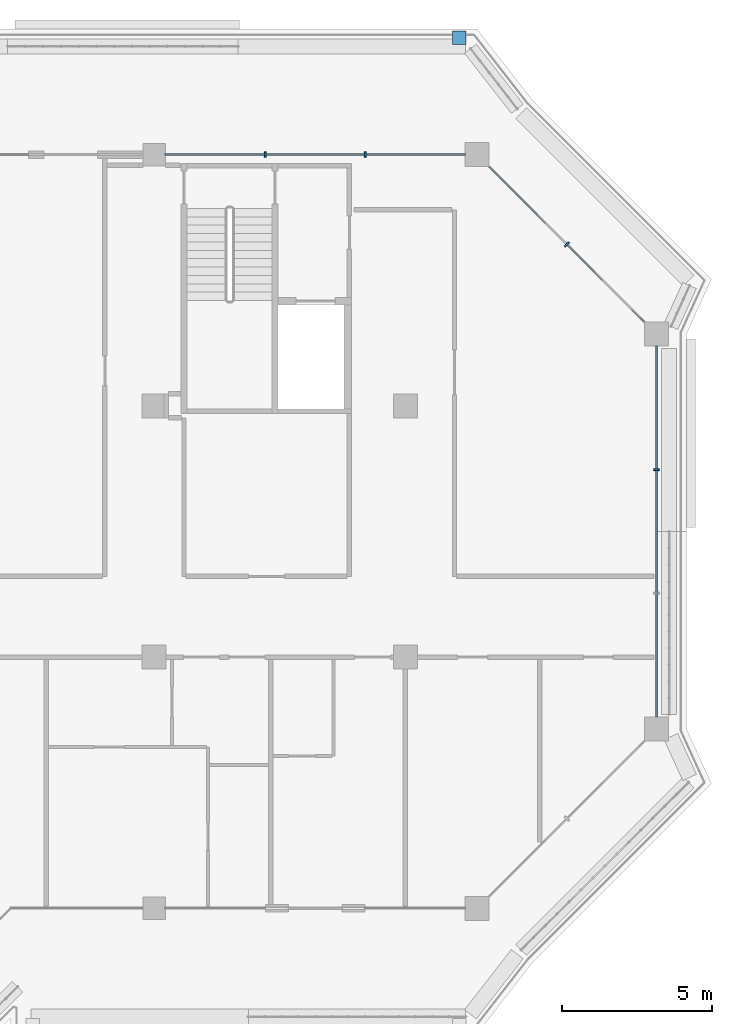
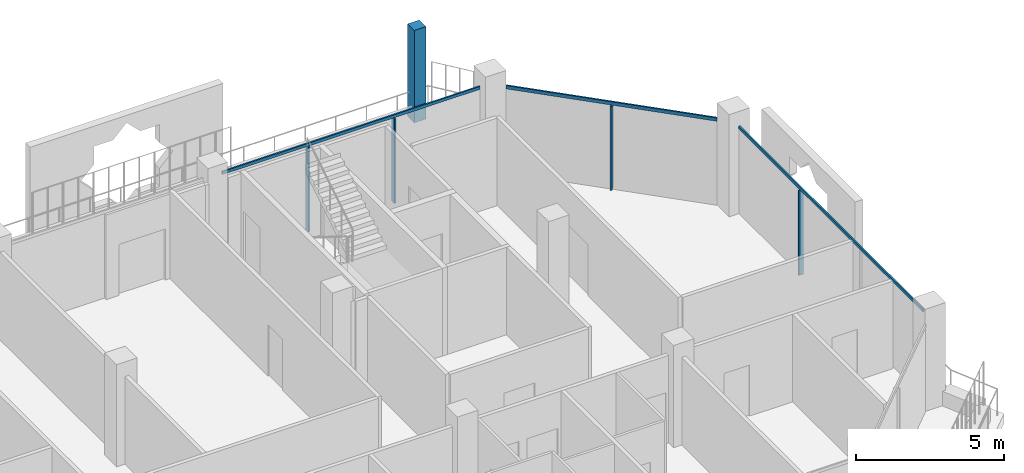
# One storey, part 8 of 21: 8 members, 4 elements without a shape of their own.
"""IFC4 building model written with IfcOpenShell, lengths in metres."""

from ifc_helpers import new_model, si_unit, direction, frame, origin, origin_2d, place, context, subcontext, project, spatial, rectangle, extrude, material, layer, layer_set, material_profile, profile_set, type_object, element, aggregate, save


model = new_model("IFC4")

# Units and contexts
model_context = context("Model", 3, precision=1e-05, world=origin(), true_north=direction((0.0, 1.0)))
body_context = subcontext(model_context, "Body", "Model", "MODEL_VIEW")
ifc_project = project(units=[si_unit("LENGTHUNIT", "METRE"), si_unit("AREAUNIT", "SQUARE_METRE"), si_unit("VOLUMEUNIT", "CUBIC_METRE"), si_unit("PLANEANGLEUNIT", "RADIAN"), si_unit("MASSUNIT", "GRAM", prefix="KILO")], contexts=[model_context])

# Site, building, storey
site_placement = place(None, origin())
site = spatial("IfcSite", under=ifc_project, at=site_placement, CompositionType="ELEMENT")
building_placement = place(site_placement, origin())
building = spatial("IfcBuilding", under=site, at=building_placement, Name="Kawkab Arch Medical Tower", CompositionType="ELEMENT")
storey_placement = place(building_placement, frame((0.0, 0.0, 315.39990234375)))
storey = spatial("IfcBuildingStorey", under=building, at=storey_placement, Name="L73", CompositionType="ELEMENT", Elevation=315.39990234375)

# Curtain wall, member
ifc_material_1 = material(Name="Bronze anodised aluminium curtain wall frame", Category="aluminium")
ifc_layer_1 = layer(ifc_material_1, 0.159912109375)
ifc_layer_set_1 = layer_set([ifc_layer_1], Name="Bronze anodised aluminium curtain wall frame")
curtain_wall_type_1 = type_object("IfcCurtainWallType", Name="CW1 ward curtain wall", PredefinedType="NOTDEFINED", material=ifc_layer_set_1)
placement = place(storey_placement, origin())
curtain_wall_1 = element("IfcCurtainWall", 1, at=placement, inside=storey, type_object=curtain_wall_type_1, Name="CW1 Ward curtain wall R13", PredefinedType="NOTDEFINED")
ifc_material_2 = material(Name="Bronze anodised aluminium curtain wall frame", Category="aluminium")
ifc_material_profile_1 = material_profile(ifc_material_2, rectangle(XDim=0.179931640625, YDim=0.06005859375, at=origin_2d()), Name="AL 60x180")
ifc_profile_set_1 = profile_set([ifc_material_profile_1], Name="Bronze anodised aluminium curtain wall frame")
member_type_1 = type_object("IfcMemberType", Name="CW1 mullion 60 x 180", PredefinedType="MULLION", material=ifc_profile_set_1)
member_1_placement = place(storey_placement, frame((58.800048828125, -10.533447265625, 0.0), z_axis=(0.0, 0.0, 1.0), x_axis=(-1.0, 0.0, 0.0)))
member_1 = element("IfcMember", 2, at=member_1_placement, type_object=member_type_1, Name="CW1 mullion 1.2", PredefinedType="MULLION", context=body_context, shape_type="SweptSolid", body=[
    extrude(rectangle(XDim=0.179931640625, YDim=0.06005859375, at=origin_2d()), origin(), (0.0, 0.0, 1.0), 3.47998046875),
])

# Curtain wall, members
curtain_wall_2 = element("IfcCurtainWall", 3, at=placement, inside=storey, type_object=curtain_wall_type_1, Name="CW1 Ward curtain wall R15", PredefinedType="NOTDEFINED")
member_2_placement = place(storey_placement, frame((49.058349609375, 0.0, 0.0), z_axis=(0.0, 0.0, 1.0), x_axis=(0.0, -1.0, 0.0)))
member_2 = element("IfcMember", 4, at=member_2_placement, type_object=member_type_1, Name="CW1 mullion 1.1", PredefinedType="MULLION", context=body_context, shape_type="SweptSolid", body=[
    extrude(rectangle(XDim=0.179931640625, YDim=0.06005859375, at=origin_2d()), origin(), (0.0, 0.0, 1.0), 3.47998046875),
])
member_3_placement = place(storey_placement, frame((45.716552734375, 0.0, 0.0), z_axis=(0.0, 0.0, 1.0), x_axis=(0.0, -1.0, 0.0)))
member_3 = element("IfcMember", 5, at=member_3_placement, type_object=member_type_1, Name="CW1 mullion 1.2", PredefinedType="MULLION", context=body_context, shape_type="SweptSolid", body=[
    extrude(rectangle(XDim=0.179931640625, YDim=0.06005859375, at=origin_2d()), origin(), (0.0, 0.0, 1.0), 3.47998046875),
])

# Member
ifc_material_3 = material(Name="Bronze anodised aluminium curtain wall frame", Category="aluminium")
ifc_material_profile_2 = material_profile(ifc_material_3, rectangle(XDim=0.06005859375, YDim=0.1201171875, at=origin_2d()), Name="AL 60x120")
ifc_profile_set_2 = profile_set([ifc_material_profile_2], Name="Bronze anodised aluminium curtain wall frame")
member_type_2 = type_object("IfcMemberType", Name="CW1 transom 120 x 60", PredefinedType="USERDEFINED", material=ifc_profile_set_2)
member_4_placement = place(storey_placement, frame((58.800048828125, -18.800048828125, 3.5400390625), z_axis=(0.0, 1.0, 0.0), x_axis=(-1.0, 0.0, 0.0)))
member_4 = element("IfcMember", 6, at=member_4_placement, type_object=member_type_2, Name="CW1 transom 1", ObjectType="TRANSOM", PredefinedType="USERDEFINED", context=body_context, shape_type="SweptSolid", body=[
    extrude(rectangle(XDim=0.06005859375, YDim=0.1201171875, at=origin_2d()), origin(), (0.0, 0.0, 1.0), 12.400146484375),
])

aggregate(curtain_wall_1, [member_4, member_1])

member_5_placement = place(storey_placement, frame((52.39990234375, 0.0, 3.5400390625), z_axis=(-1.0, 0.0, 0.0), x_axis=(0.0, -1.0, 0.0)))
member_5 = element("IfcMember", 7, at=member_5_placement, type_object=member_type_2, Name="CW1 transom 1", ObjectType="TRANSOM", PredefinedType="USERDEFINED", context=body_context, shape_type="SweptSolid", body=[
    extrude(rectangle(XDim=0.06005859375, YDim=0.1201171875, at=origin_2d()), origin(), (0.0, 0.0, 1.0), 10.02490234375),
])

aggregate(curtain_wall_2, [member_5, member_2, member_3])

# Curtain wall, members
ifc_material_4 = material(Name="Bronze anodised aluminium curtain wall frame", Category="aluminium")
ifc_layer_2 = layer(ifc_material_4, 0.159912109375)
ifc_layer_set_2 = layer_set([ifc_layer_2], Name="Bronze anodised aluminium curtain wall frame")
curtain_wall_type_2 = type_object("IfcCurtainWallType", Name="CW2 chamfer curtain wall", PredefinedType="NOTDEFINED", material=ifc_layer_set_2)
curtain_wall_3 = element("IfcCurtainWall", 8, at=placement, inside=storey, type_object=curtain_wall_type_2, Name="CW2 Chamfer curtain wall R14", PredefinedType="NOTDEFINED")
ifc_material_5 = material(Name="Bronze anodised aluminium curtain wall frame", Category="aluminium")
ifc_material_profile_3 = material_profile(ifc_material_5, rectangle(XDim=0.199951171875, YDim=0.06005859375, at=origin_2d()), Name="AL 60x200")
ifc_profile_set_3 = profile_set([ifc_material_profile_3], Name="Bronze anodised aluminium curtain wall frame")
member_type_3 = type_object("IfcMemberType", Name="CW2 mullion 60 x 200", PredefinedType="MULLION", material=ifc_profile_set_3)
member_6_placement = place(storey_placement, frame((55.800048828125, -3.0, 0.0), z_axis=(0.0, 0.0, 1.0), x_axis=(-0.707106781187, -0.707106781187, 0.0)))
member_6 = element("IfcMember", 9, at=member_6_placement, type_object=member_type_3, Name="CW2 mullion 1.1", PredefinedType="MULLION", context=body_context, shape_type="SweptSolid", body=[
    extrude(rectangle(XDim=0.199951171875, YDim=0.06005859375, at=origin_2d()), origin(), (0.0, 0.0, 1.0), 3.460205078125),
])
ifc_material_6 = material(Name="Bronze anodised aluminium curtain wall frame", Category="aluminium")
ifc_material_profile_4 = material_profile(ifc_material_6, rectangle(XDim=0.06005859375, YDim=0.139892578125, at=origin_2d()), Name="AL 60x140")
ifc_profile_set_4 = profile_set([ifc_material_profile_4], Name="Bronze anodised aluminium curtain wall frame")
member_type_4 = type_object("IfcMemberType", Name="CW2 transom 140 x 60", PredefinedType="USERDEFINED", material=ifc_profile_set_4)
member_7_placement = place(storey_placement, frame((58.39990234375, -5.60009765625, 3.530029296875), z_axis=(-0.707090181851, 0.707123380132, 0.0), x_axis=(-0.707123380132, -0.707090181851, 0.0)))
member_7 = element("IfcMember", 10, at=member_7_placement, type_object=member_type_4, Name="CW2 transom 1", ObjectType="TRANSOM", PredefinedType="USERDEFINED", context=body_context, shape_type="SweptSolid", body=[
    extrude(rectangle(XDim=0.06005859375, YDim=0.139892578125, at=origin_2d()), origin(), (0.0, 0.0, 1.0), 7.35400390625),
])
aggregate(curtain_wall_3, [member_7, member_6])

# Curtain wall, member
ifc_material_7 = material(Name="Bronze anodised aluminium climber frame, planted", Category="aluminium")
ifc_layer_3 = layer(ifc_material_7, 0.449951171875)
ifc_layer_set_3 = layer_set([ifc_layer_3], Name="Bronze anodised aluminium climber frame, planted")
curtain_wall_type_3 = type_object("IfcCurtainWallType", Name="Planted climber frame", PredefinedType="NOTDEFINED", material=ifc_layer_set_3)
curtain_wall_4 = element("IfcCurtainWall", 11, at=placement, inside=storey, type_object=curtain_wall_type_3, Name="Planted climber frame L73", PredefinedType="NOTDEFINED")
ifc_material_8 = material(Name="Bronze anodised aluminium climber frame, planted", Category="aluminium")
ifc_material_profile_5 = material_profile(ifc_material_8, rectangle(XDim=0.449951171875, YDim=0.449951171875, at=origin_2d()), Name="Post 450x450")
ifc_profile_set_5 = profile_set([ifc_material_profile_5], Name="Bronze anodised aluminium climber frame, planted")
member_type_5 = type_object("IfcMemberType", Name="Planted climber post 450 x 450", PredefinedType="MULLION", material=ifc_profile_set_5)
member_8_placement = place(storey_placement, frame((52.202880859375, 3.89990234375, 0.0), z_axis=(0.0, 0.0, 1.0), x_axis=(1.0, 0.0, 0.0)))
member_8 = element("IfcMember", 12, at=member_8_placement, type_object=member_type_5, Name="Planted climber post L73.LOG-01-01.4", PredefinedType="MULLION", context=body_context, shape_type="SweptSolid", body=[
    extrude(rectangle(XDim=0.449951171875, YDim=0.449951171875, at=origin_2d()), origin(), (0.0, 0.0, 1.0), 3.800048828125),
])
aggregate(curtain_wall_4, [member_8])

save(model, "model.ifc")
